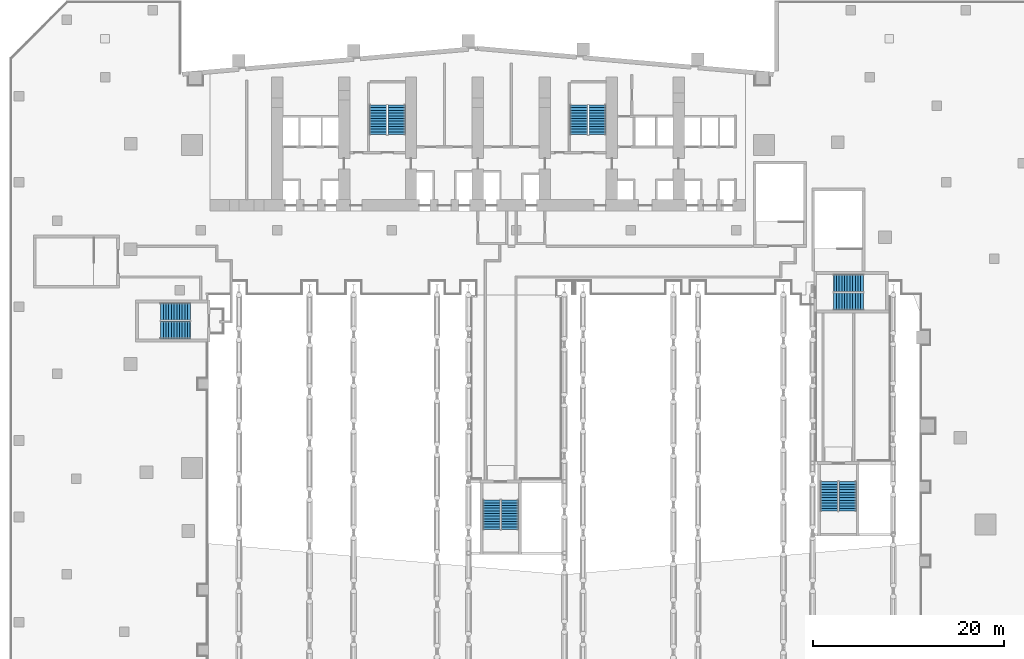
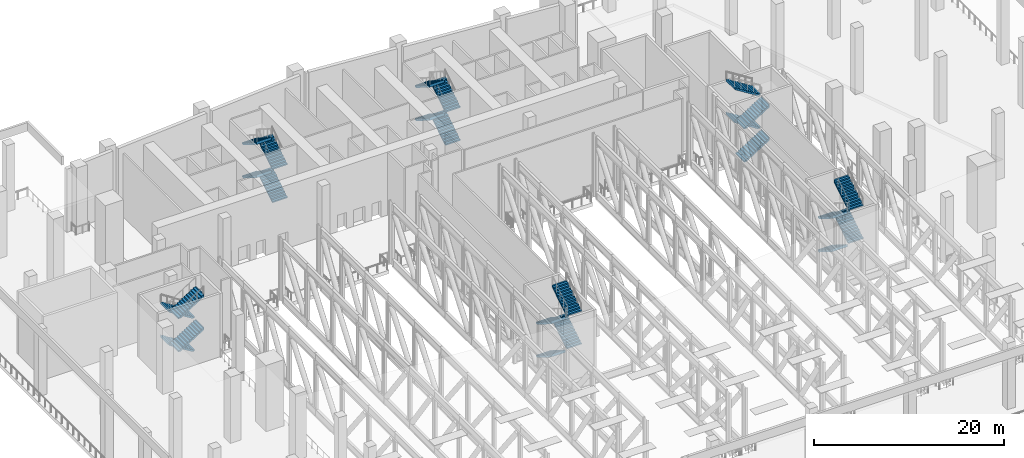
# One storey, part 15 of 33: 24 stair flights, 6 elements without a shape of their own.
"""IFC4 building model written with IfcOpenShell, lengths in metres."""

import ifcopenshell
import ifcopenshell.guid

model = None  # the IFC model being written
_history = None  # IfcOwnerHistory: only IFC2X3 demands one
_inside = {}  # id of a spatial element -> (the spatial element, [elements in it])
_under = {}  # id of a project, library or spatial element -> (it, [spatial elements below it])
_declared = {}  # id of a project -> (the project, [libraries it declares])
_typed = {}  # id of a type object -> (the type object, [elements of that type])
_made_of = {}  # id of a material, layer set ... -> (it, [elements and type objects made of it])


def new_model(schema):
    """Start an empty IFC model of exactly this schema.

    Asked for "IFC4X3", IfcOpenShell would pick the latest addendum, in which some entities
    have other attributes; the version numbers below select the first issue.
    IFC2X3 requires an IfcOwnerHistory on every rooted entity: one is made here for all.
    """
    global model, _history
    if schema == "IFC4X3":
        model = ifcopenshell.file(schema_version=(4, 3, 0, 0))
    else:
        model = ifcopenshell.file(schema=schema)
    _inside.clear()
    _under.clear()
    _declared.clear()
    _typed.clear()
    _made_of.clear()
    _history = None
    if model.schema == "IFC2X3":
        org = make("IfcOrganization", Name="unknown")
        user = make(
            "IfcPersonAndOrganization",
            ThePerson=make("IfcPerson", FamilyName="unknown"),
            TheOrganization=org,
        )
        app = make(
            "IfcApplication",
            ApplicationDeveloper=org,
            Version="unknown",
            ApplicationFullName="unknown",
            ApplicationIdentifier="unknown",
        )
        _history = make(
            "IfcOwnerHistory",
            OwningUser=user,
            OwningApplication=app,
            ChangeAction="ADDED",
            CreationDate=0,
        )
    return model


def make(cls, **values):
    """One entity of the class cls with the attributes given. An attribute that is None is left unset."""
    return model.create_entity(
        cls, **{name: value for name, value in values.items() if value is not None}
    )


def rooted(cls, **values):
    """An entity with a GlobalId (a new one), such as an element, a storey or a relation."""
    return make(cls, GlobalId=ifcopenshell.guid.new(), OwnerHistory=_history, **values)


def si_unit(unit_type, name, prefix=None):
    """IfcSIUnit, for example si_unit("LENGTHUNIT", "METRE", prefix="MILLI")."""
    return make("IfcSIUnit", UnitType=unit_type, Prefix=prefix, Name=name)


def assignment(units):
    """IfcUnitAssignment: the units of a project."""
    return None if units is None else make("IfcUnitAssignment", Units=units)


def point(xyz):
    """IfcCartesianPoint."""
    return None if xyz is None else make("IfcCartesianPoint", Coordinates=xyz)


def direction(xyz):
    """IfcDirection."""
    return None if xyz is None else make("IfcDirection", DirectionRatios=xyz)


def frame(location, z_axis=None, x_axis=None):
    """IfcAxis2Placement3D, a coordinate frame: its origin and axes. An axis left out is left unset."""
    return make(
        "IfcAxis2Placement3D",
        Location=point(location),
        Axis=direction(z_axis),
        RefDirection=direction(x_axis),
    )


def origin():
    """The frame at (0, 0, 0) with its axes left unset."""
    return frame((0.0, 0.0, 0.0))


def place(relative_to, where):
    """IfcLocalPlacement: puts the frame where relative to a parent placement (None: the world)."""
    return make(
        "IfcLocalPlacement", PlacementRelTo=relative_to, RelativePlacement=where
    )


def context(
    kind, dimensions, precision=None, world=None, true_north=None, identifier=None
):
    """IfcGeometricRepresentationContext, for example the 3D "Model" context."""
    return make(
        "IfcGeometricRepresentationContext",
        ContextIdentifier=identifier,
        ContextType=kind,
        CoordinateSpaceDimension=dimensions,
        Precision=precision,
        WorldCoordinateSystem=world,
        TrueNorth=true_north,
    )


def subcontext(parent, identifier, kind, view, scale=None):
    """IfcGeometricRepresentationSubContext, for example "Body" below "Model"."""
    return make(
        "IfcGeometricRepresentationSubContext",
        ContextIdentifier=identifier,
        ContextType=kind,
        ParentContext=parent,
        TargetScale=scale,
        TargetView=view,
    )


def project(units=None, contexts=None):
    """IfcProject with its units and contexts."""
    return rooted(
        "IfcProject",
        Name="project",
        RepresentationContexts=contexts,
        UnitsInContext=assignment(units),
    )


def spatial(cls, under=None, at=None, **own):
    """A site, building, storey or space (cls), placed at a placement, below another one or the project."""
    s = rooted(cls, ObjectPlacement=at, **own)
    if under is not None:
        _under.setdefault(under.id(), (under, []))[1].append(s)
    return s


def polyline(points):
    """IfcPolyline through the points."""
    return make("IfcPolyline", Points=[point(p) for p in points])


def outline(outer, holes=None, kind="AREA"):
    """IfcArbitraryClosedProfileDef: a profile drawn as a closed curve; with holes, ...WithVoids."""
    if holes is None:
        return make("IfcArbitraryClosedProfileDef", ProfileType=kind, OuterCurve=outer)
    return make(
        "IfcArbitraryProfileDefWithVoids",
        ProfileType=kind,
        OuterCurve=outer,
        InnerCurves=holes,
    )


def extrude(swept, where, along, depth):
    """IfcExtrudedAreaSolid: the profile swept, set in the frame where, extruded along a direction by depth."""
    return make(
        "IfcExtrudedAreaSolid",
        SweptArea=swept,
        Position=where,
        ExtrudedDirection=direction(along),
        Depth=depth,
    )


def shape(context_of_items, identifier, shape_type, items):
    """IfcShapeRepresentation: the items that make up one representation, for example the "Body"."""
    return make(
        "IfcShapeRepresentation",
        ContextOfItems=context_of_items,
        RepresentationIdentifier=identifier,
        RepresentationType=shape_type,
        Items=items,
    )


def material(Name=None, Category=None):
    """IfcMaterial."""
    return make("IfcMaterial", Name=Name, Category=Category)


def made_of(thing, what):
    """Note that an element or type object is made of a material, layer set ...; save() writes the relation."""
    if what is not None:
        _made_of.setdefault(what.id(), (what, []))[1].append(thing)
    return thing


def type_object(cls, material=None, **own):
    """A type object (cls), such as IfcWallType, which elements share."""
    return made_of(rooted(cls, **own), material)


def element(
    cls,
    number,
    at=None,
    inside=None,
    cuts=None,
    type_object=None,
    material=None,
    context=None,
    identifier="Body",
    shape_type=None,
    held_by="IfcProductDefinitionShape",
    body=None,
    shapes=None,
    **own,
):
    """One element of the class cls, such as IfcWall. Its Tag is "e" and its number.

    at: its placement. inside: the storey or other place that contains it. cuts: it is an
    opening in that element (IfcRelVoidsElement). A single representation is given by context,
    identifier, shape_type and body (its items); several are given by shapes. held_by: the class
    of the entity that holds the representations. save() writes the other relations.
    """
    e = rooted(cls, Tag="e%d" % number, ObjectPlacement=at, **own)
    if body is not None:
        shapes = [shape(context, identifier, shape_type, body)]
    if shapes is not None:
        e.Representation = make(held_by, Representations=shapes)
    if inside is not None:
        _inside.setdefault(inside.id(), (inside, []))[1].append(e)
    if cuts is not None:
        rooted(
            "IfcRelVoidsElement", RelatingBuildingElement=cuts, RelatedOpeningElement=e
        )
    if type_object is not None:
        _typed.setdefault(type_object.id(), (type_object, []))[1].append(e)
    return made_of(e, material)


def aggregate(whole, parts):
    """IfcRelAggregates: a whole, such as a stair, and the parts it consists of."""
    return rooted("IfcRelAggregates", RelatingObject=whole, RelatedObjects=parts)


def save(model, path):
    """Write the relations noted so far, then the file.

    IfcRelAggregates (storeys below a building ...), IfcRelContainedInSpatialStructure (elements
    in a storey), IfcRelDefinesByType, IfcRelAssociatesMaterial and IfcRelDeclares: one each for
    every whole, place, type object, material and project.
    """
    for whole, parts in _under.values():
        aggregate(whole, parts)
    for where, things in _inside.values():
        rooted(
            "IfcRelContainedInSpatialStructure",
            RelatedElements=things,
            RelatingStructure=where,
        )
    for kind, things in _typed.values():
        rooted("IfcRelDefinesByType", RelatedObjects=things, RelatingType=kind)
    for what, things in _made_of.values():
        rooted("IfcRelAssociatesMaterial", RelatedObjects=things, RelatingMaterial=what)
    for by, libraries in _declared.values():
        rooted("IfcRelDeclares", RelatingContext=by, RelatedDefinitions=libraries)
    model.write(path)


model = new_model("IFC4")

# Units and contexts
model_context = context("Model", 3, precision=1e-05, world=origin(), true_north=direction((0.0, 1.0)))
body_context = subcontext(model_context, "Body", "Model", "MODEL_VIEW")
ifc_project = project(units=[si_unit("LENGTHUNIT", "METRE"), si_unit("AREAUNIT", "SQUARE_METRE"), si_unit("VOLUMEUNIT", "CUBIC_METRE"), si_unit("PLANEANGLEUNIT", "RADIAN"), si_unit("MASSUNIT", "GRAM", prefix="KILO")], contexts=[model_context])

# Site, building, storey
site_placement = place(None, origin())
site = spatial("IfcSite", under=ifc_project, at=site_placement, CompositionType="ELEMENT")
building_placement = place(site_placement, origin())
building = spatial("IfcBuilding", under=site, at=building_placement, Name="Wharfspan Tower", CompositionType="ELEMENT")
storey_placement = place(building_placement, frame((0.0, 0.0, 33.0)))
storey = spatial("IfcBuildingStorey", under=building, at=storey_placement, Name="L05", CompositionType="ELEMENT", Elevation=33.0)

# Stair, stair flights
ifc_material = material(Name="Concrete C40/50", Category="concrete")
stair_type = type_object("IfcStairType", Name="Half-turn stair 48 risers 177 mm", PredefinedType="HALF_TURN_STAIR", material=ifc_material)
stair_1_placement = place(storey_placement, origin())
stair_1 = element("IfcStair", 1, at=stair_1_placement, inside=storey, type_object=stair_type, Name="L05 stair ST1", PredefinedType="HALF_TURN_STAIR")
stair_flight_type = type_object("IfcStairFlightType", Name="Stair flight 48 risers 177 mm", PredefinedType="STRAIGHT", material=ifc_material)
stair_flight_1_placement = place(storey_placement, frame((28.5, 42.0, 0.0), z_axis=(0.0, 0.0, 1.0), x_axis=(0.0, 1.0, 0.0)))
stair_flight_1 = element("IfcStairFlight", 2, at=stair_flight_1_placement, type_object=stair_flight_type, Name="ST1 flight 1", NumberOfRisers=12, NumberOfTreads=11, PredefinedType="STRAIGHT", RiserHeight=0.177083, TreadLength=0.28, context=body_context, shape_type="SweptSolid", body=[
    extrude(outline(polyline([(-0.011963, 0.0), (-0.011963, 0.177002), (0.0, 0.177002), (0.280029, 0.177002), (0.280029, 0.354248), (0.560059, 0.354248), (0.560059, 0.53125), (0.840088, 0.53125), (0.840088, 0.708252), (1.120117, 0.708252), (1.120117, 0.885498), (1.399902, 0.885498), (1.399902, 1.0625), (1.679932, 1.0625), (1.679932, 1.239502), (1.959961, 1.239502), (1.959961, 1.416748), (2.23999, 1.416748), (2.23999, 1.59375), (2.52002, 1.59375), (2.52002, 1.770752), (2.800049, 1.770752), (2.800049, 1.947998), (3.080078, 1.947998), (3.092041, 2.125), (3.092041, 1.770508), (0.280518, 0.0), (-0.011963, 0.0)])), frame((0.0, 0.899902, 0.0), z_axis=(0.0, -1.0, 0.0), x_axis=(1.0, 0.0, 0.0)), (0.0, 0.0, 1.0), 1.800049),
])
stair_flight_2_placement = place(storey_placement, frame((26.550049, 45.080078, 2.125), z_axis=(0.0, 0.0, 1.0), x_axis=(0.0, -1.0, 0.0)))
stair_flight_2 = element("IfcStairFlight", 3, at=stair_flight_2_placement, type_object=stair_flight_type, Name="ST1 flight 2", NumberOfRisers=12, NumberOfTreads=11, PredefinedType="STRAIGHT", RiserHeight=0.177083, TreadLength=0.28, context=body_context, shape_type="SweptSolid", body=[
    extrude(outline(polyline([(-0.011963, 0.0), (-0.011963, 0.177002), (0.0, 0.177002), (0.280029, 0.177002), (0.280029, 0.354248), (0.560059, 0.354248), (0.560059, 0.53125), (0.840088, 0.53125), (0.840088, 0.708252), (1.120117, 0.708252), (1.120117, 0.885498), (1.399902, 0.885498), (1.399902, 1.0625), (1.679932, 1.0625), (1.679932, 1.239502), (1.959961, 1.239502), (1.959961, 1.416748), (2.23999, 1.416748), (2.23999, 1.59375), (2.52002, 1.59375), (2.52002, 1.770752), (2.800049, 1.770752), (2.800049, 1.947998), (3.080078, 1.947998), (3.092041, 2.125), (3.092041, 1.770508), (0.280518, 0.0), (-0.011963, 0.0)])), frame((0.0, 0.899902, 0.0), z_axis=(0.0, -1.0, 0.0), x_axis=(1.0, 0.0, 0.0)), (0.0, 0.0, 1.0), 1.800049),
])
stair_flight_3_placement = place(storey_placement, frame((28.5, 42.0, 4.25), z_axis=(0.0, 0.0, 1.0), x_axis=(0.0, 1.0, 0.0)))
stair_flight_3 = element("IfcStairFlight", 4, at=stair_flight_3_placement, type_object=stair_flight_type, Name="ST1 flight 3", NumberOfRisers=12, NumberOfTreads=11, PredefinedType="STRAIGHT", RiserHeight=0.177083, TreadLength=0.28, context=body_context, shape_type="SweptSolid", body=[
    extrude(outline(polyline([(-0.011963, 0.0), (-0.011963, 0.177002), (0.0, 0.177002), (0.280029, 0.177002), (0.280029, 0.354248), (0.560059, 0.354248), (0.560059, 0.53125), (0.840088, 0.53125), (0.840088, 0.708252), (1.120117, 0.708252), (1.120117, 0.885498), (1.399902, 0.885498), (1.399902, 1.0625), (1.679932, 1.0625), (1.679932, 1.239502), (1.959961, 1.239502), (1.959961, 1.416748), (2.23999, 1.416748), (2.23999, 1.59375), (2.52002, 1.59375), (2.52002, 1.770752), (2.800049, 1.770752), (2.800049, 1.947998), (3.080078, 1.947998), (3.092041, 2.125), (3.092041, 1.770508), (0.280518, 0.0), (-0.011963, 0.0)])), frame((0.0, 0.899902, 0.0), z_axis=(0.0, -1.0, 0.0), x_axis=(1.0, 0.0, 0.0)), (0.0, 0.0, 1.0), 1.800049),
])
stair_flight_4_placement = place(storey_placement, frame((26.550049, 45.080078, 6.375), z_axis=(0.0, 0.0, 1.0), x_axis=(0.0, -1.0, 0.0)))
stair_flight_4 = element("IfcStairFlight", 5, at=stair_flight_4_placement, type_object=stair_flight_type, Name="ST1 flight 4", NumberOfRisers=12, NumberOfTreads=11, PredefinedType="STRAIGHT", RiserHeight=0.177083, TreadLength=0.28, context=body_context, shape_type="SweptSolid", body=[
    extrude(outline(polyline([(-0.011963, 0.0), (-0.011963, 0.177002), (0.0, 0.177002), (0.280029, 0.177002), (0.280029, 0.354248), (0.560059, 0.354248), (0.560059, 0.53125), (0.840088, 0.53125), (0.840088, 0.708252), (1.120117, 0.708252), (1.120117, 0.885498), (1.399902, 0.885498), (1.399902, 1.0625), (1.679932, 1.0625), (1.679932, 1.239502), (1.959961, 1.239502), (1.959961, 1.416748), (2.23999, 1.416748), (2.23999, 1.59375), (2.52002, 1.59375), (2.52002, 1.770752), (2.800049, 1.770752), (2.800049, 1.947998), (3.080078, 1.947998), (3.092041, 2.125), (3.092041, 1.770508), (0.280518, 0.0), (-0.011963, 0.0)])), frame((0.0, 0.899902, 0.0), z_axis=(0.0, -1.0, 0.0), x_axis=(1.0, 0.0, 0.0)), (0.0, 0.0, 1.0), 1.800049),
])
aggregate(stair_1, [stair_flight_1, stair_flight_2, stair_flight_3, stair_flight_4])

stair_2_placement = place(storey_placement, origin())
stair_2 = element("IfcStair", 6, at=stair_2_placement, inside=storey, type_object=stair_type, Name="L05 stair ST2", PredefinedType="HALF_TURN_STAIR")
stair_flight_5_placement = place(storey_placement, frame((49.5, 42.0, 0.0), z_axis=(0.0, 0.0, 1.0), x_axis=(0.0, 1.0, 0.0)))
stair_flight_5 = element("IfcStairFlight", 7, at=stair_flight_5_placement, type_object=stair_flight_type, Name="ST2 flight 1", NumberOfRisers=12, NumberOfTreads=11, PredefinedType="STRAIGHT", RiserHeight=0.177083, TreadLength=0.28, context=body_context, shape_type="SweptSolid", body=[
    extrude(outline(polyline([(-0.011963, 0.0), (-0.011963, 0.177002), (0.0, 0.177002), (0.280029, 0.177002), (0.280029, 0.354248), (0.560059, 0.354248), (0.560059, 0.53125), (0.840088, 0.53125), (0.840088, 0.708252), (1.120117, 0.708252), (1.120117, 0.885498), (1.399902, 0.885498), (1.399902, 1.0625), (1.679932, 1.0625), (1.679932, 1.239502), (1.959961, 1.239502), (1.959961, 1.416748), (2.23999, 1.416748), (2.23999, 1.59375), (2.52002, 1.59375), (2.52002, 1.770752), (2.800049, 1.770752), (2.800049, 1.947998), (3.080078, 1.947998), (3.092041, 2.125), (3.092041, 1.770508), (0.280518, 0.0), (-0.011963, 0.0)])), frame((0.0, 0.899902, 0.0), z_axis=(0.0, -1.0, 0.0), x_axis=(1.0, 0.0, 0.0)), (0.0, 0.0, 1.0), 1.800049),
])
stair_flight_6_placement = place(storey_placement, frame((47.550049, 45.080078, 2.125), z_axis=(0.0, 0.0, 1.0), x_axis=(0.0, -1.0, 0.0)))
stair_flight_6 = element("IfcStairFlight", 8, at=stair_flight_6_placement, type_object=stair_flight_type, Name="ST2 flight 2", NumberOfRisers=12, NumberOfTreads=11, PredefinedType="STRAIGHT", RiserHeight=0.177083, TreadLength=0.28, context=body_context, shape_type="SweptSolid", body=[
    extrude(outline(polyline([(-0.011963, 0.0), (-0.011963, 0.177002), (0.0, 0.177002), (0.280029, 0.177002), (0.280029, 0.354248), (0.560059, 0.354248), (0.560059, 0.53125), (0.840088, 0.53125), (0.840088, 0.708252), (1.120117, 0.708252), (1.120117, 0.885498), (1.399902, 0.885498), (1.399902, 1.0625), (1.679932, 1.0625), (1.679932, 1.239502), (1.959961, 1.239502), (1.959961, 1.416748), (2.23999, 1.416748), (2.23999, 1.59375), (2.52002, 1.59375), (2.52002, 1.770752), (2.800049, 1.770752), (2.800049, 1.947998), (3.080078, 1.947998), (3.092041, 2.125), (3.092041, 1.770508), (0.280518, 0.0), (-0.011963, 0.0)])), frame((0.0, 0.899902, 0.0), z_axis=(0.0, -1.0, 0.0), x_axis=(1.0, 0.0, 0.0)), (0.0, 0.0, 1.0), 1.800049),
])
stair_flight_7_placement = place(storey_placement, frame((49.5, 42.0, 4.25), z_axis=(0.0, 0.0, 1.0), x_axis=(0.0, 1.0, 0.0)))
stair_flight_7 = element("IfcStairFlight", 9, at=stair_flight_7_placement, type_object=stair_flight_type, Name="ST2 flight 3", NumberOfRisers=12, NumberOfTreads=11, PredefinedType="STRAIGHT", RiserHeight=0.177083, TreadLength=0.28, context=body_context, shape_type="SweptSolid", body=[
    extrude(outline(polyline([(-0.011963, 0.0), (-0.011963, 0.177002), (0.0, 0.177002), (0.280029, 0.177002), (0.280029, 0.354248), (0.560059, 0.354248), (0.560059, 0.53125), (0.840088, 0.53125), (0.840088, 0.708252), (1.120117, 0.708252), (1.120117, 0.885498), (1.399902, 0.885498), (1.399902, 1.0625), (1.679932, 1.0625), (1.679932, 1.239502), (1.959961, 1.239502), (1.959961, 1.416748), (2.23999, 1.416748), (2.23999, 1.59375), (2.52002, 1.59375), (2.52002, 1.770752), (2.800049, 1.770752), (2.800049, 1.947998), (3.080078, 1.947998), (3.092041, 2.125), (3.092041, 1.770508), (0.280518, 0.0), (-0.011963, 0.0)])), frame((0.0, 0.899902, 0.0), z_axis=(0.0, -1.0, 0.0), x_axis=(1.0, 0.0, 0.0)), (0.0, 0.0, 1.0), 1.800049),
])
stair_flight_8_placement = place(storey_placement, frame((47.550049, 45.080078, 6.375), z_axis=(0.0, 0.0, 1.0), x_axis=(0.0, -1.0, 0.0)))
stair_flight_8 = element("IfcStairFlight", 10, at=stair_flight_8_placement, type_object=stair_flight_type, Name="ST2 flight 4", NumberOfRisers=12, NumberOfTreads=11, PredefinedType="STRAIGHT", RiserHeight=0.177083, TreadLength=0.28, context=body_context, shape_type="SweptSolid", body=[
    extrude(outline(polyline([(-0.011963, 0.0), (-0.011963, 0.177002), (0.0, 0.177002), (0.280029, 0.177002), (0.280029, 0.354248), (0.560059, 0.354248), (0.560059, 0.53125), (0.840088, 0.53125), (0.840088, 0.708252), (1.120117, 0.708252), (1.120117, 0.885498), (1.399902, 0.885498), (1.399902, 1.0625), (1.679932, 1.0625), (1.679932, 1.239502), (1.959961, 1.239502), (1.959961, 1.416748), (2.23999, 1.416748), (2.23999, 1.59375), (2.52002, 1.59375), (2.52002, 1.770752), (2.800049, 1.770752), (2.800049, 1.947998), (3.080078, 1.947998), (3.092041, 2.125), (3.092041, 1.770508), (0.280518, 0.0), (-0.011963, 0.0)])), frame((0.0, 0.899902, 0.0), z_axis=(0.0, -1.0, 0.0), x_axis=(1.0, 0.0, 0.0)), (0.0, 0.0, 1.0), 1.800049),
])
aggregate(stair_2, [stair_flight_5, stair_flight_6, stair_flight_7, stair_flight_8])

stair_3_placement = place(storey_placement, origin())
stair_3 = element("IfcStair", 11, at=stair_3_placement, inside=storey, type_object=stair_type, Name="L05 stair ST3", PredefinedType="HALF_TURN_STAIR")
stair_flight_9_placement = place(storey_placement, frame((6.899902, 23.475098, 0.0), z_axis=(0.0, 0.0, 1.0), x_axis=(-1.0, 0.0, 0.0)))
stair_flight_9 = element("IfcStairFlight", 12, at=stair_flight_9_placement, type_object=stair_flight_type, Name="ST3 flight 1", NumberOfRisers=12, NumberOfTreads=11, PredefinedType="STRAIGHT", RiserHeight=0.177083, TreadLength=0.28, context=body_context, shape_type="SweptSolid", body=[
    extrude(outline(polyline([(-0.011963, 0.0), (-0.011963, 0.177002), (0.0, 0.177002), (0.280029, 0.177002), (0.280029, 0.354248), (0.560059, 0.354248), (0.560059, 0.53125), (0.840088, 0.53125), (0.840088, 0.708252), (1.120117, 0.708252), (1.120117, 0.885498), (1.399902, 0.885498), (1.399902, 1.0625), (1.679932, 1.0625), (1.679932, 1.239502), (1.959961, 1.239502), (1.959961, 1.416748), (2.23999, 1.416748), (2.23999, 1.59375), (2.52002, 1.59375), (2.52002, 1.770752), (2.800049, 1.770752), (2.800049, 1.947998), (3.080078, 1.947998), (3.092041, 2.125), (3.092041, 1.770508), (0.280518, 0.0), (-0.011963, 0.0)])), frame((0.0, 0.899902, 0.0), z_axis=(0.0, -1.0, 0.0), x_axis=(1.0, 0.0, 0.0)), (0.0, 0.0, 1.0), 1.800049),
])
stair_flight_10_placement = place(storey_placement, frame((3.820068, 21.524902, 2.125), z_axis=(0.0, 0.0, 1.0), x_axis=(1.0, 0.0, 0.0)))
stair_flight_10 = element("IfcStairFlight", 13, at=stair_flight_10_placement, type_object=stair_flight_type, Name="ST3 flight 2", NumberOfRisers=12, NumberOfTreads=11, PredefinedType="STRAIGHT", RiserHeight=0.177083, TreadLength=0.28, context=body_context, shape_type="SweptSolid", body=[
    extrude(outline(polyline([(-0.011963, 0.0), (-0.011963, 0.177002), (0.0, 0.177002), (0.280029, 0.177002), (0.280029, 0.354248), (0.560059, 0.354248), (0.560059, 0.53125), (0.840088, 0.53125), (0.840088, 0.708252), (1.120117, 0.708252), (1.120117, 0.885498), (1.399902, 0.885498), (1.399902, 1.0625), (1.679932, 1.0625), (1.679932, 1.239502), (1.959961, 1.239502), (1.959961, 1.416748), (2.23999, 1.416748), (2.23999, 1.59375), (2.52002, 1.59375), (2.52002, 1.770752), (2.800049, 1.770752), (2.800049, 1.947998), (3.080078, 1.947998), (3.092041, 2.125), (3.092041, 1.770508), (0.280518, 0.0), (-0.011963, 0.0)])), frame((0.0, 0.899902, 0.0), z_axis=(0.0, -1.0, 0.0), x_axis=(1.0, 0.0, 0.0)), (0.0, 0.0, 1.0), 1.800049),
])
stair_flight_11_placement = place(storey_placement, frame((6.899902, 23.475098, 4.25), z_axis=(0.0, 0.0, 1.0), x_axis=(-1.0, 0.0, 0.0)))
stair_flight_11 = element("IfcStairFlight", 14, at=stair_flight_11_placement, type_object=stair_flight_type, Name="ST3 flight 3", NumberOfRisers=12, NumberOfTreads=11, PredefinedType="STRAIGHT", RiserHeight=0.177083, TreadLength=0.28, context=body_context, shape_type="SweptSolid", body=[
    extrude(outline(polyline([(-0.011963, 0.0), (-0.011963, 0.177002), (0.0, 0.177002), (0.280029, 0.177002), (0.280029, 0.354248), (0.560059, 0.354248), (0.560059, 0.53125), (0.840088, 0.53125), (0.840088, 0.708252), (1.120117, 0.708252), (1.120117, 0.885498), (1.399902, 0.885498), (1.399902, 1.0625), (1.679932, 1.0625), (1.679932, 1.239502), (1.959961, 1.239502), (1.959961, 1.416748), (2.23999, 1.416748), (2.23999, 1.59375), (2.52002, 1.59375), (2.52002, 1.770752), (2.800049, 1.770752), (2.800049, 1.947998), (3.080078, 1.947998), (3.092041, 2.125), (3.092041, 1.770508), (0.280518, 0.0), (-0.011963, 0.0)])), frame((0.0, 0.899902, 0.0), z_axis=(0.0, -1.0, 0.0), x_axis=(1.0, 0.0, 0.0)), (0.0, 0.0, 1.0), 1.800049),
])
stair_flight_12_placement = place(storey_placement, frame((3.820068, 21.524902, 6.375), z_axis=(0.0, 0.0, 1.0), x_axis=(1.0, 0.0, 0.0)))
stair_flight_12 = element("IfcStairFlight", 15, at=stair_flight_12_placement, type_object=stair_flight_type, Name="ST3 flight 4", NumberOfRisers=12, NumberOfTreads=11, PredefinedType="STRAIGHT", RiserHeight=0.177083, TreadLength=0.28, context=body_context, shape_type="SweptSolid", body=[
    extrude(outline(polyline([(-0.011963, 0.0), (-0.011963, 0.177002), (0.0, 0.177002), (0.280029, 0.177002), (0.280029, 0.354248), (0.560059, 0.354248), (0.560059, 0.53125), (0.840088, 0.53125), (0.840088, 0.708252), (1.120117, 0.708252), (1.120117, 0.885498), (1.399902, 0.885498), (1.399902, 1.0625), (1.679932, 1.0625), (1.679932, 1.239502), (1.959961, 1.239502), (1.959961, 1.416748), (2.23999, 1.416748), (2.23999, 1.59375), (2.52002, 1.59375), (2.52002, 1.770752), (2.800049, 1.770752), (2.800049, 1.947998), (3.080078, 1.947998), (3.092041, 2.125), (3.092041, 1.770508), (0.280518, 0.0), (-0.011963, 0.0)])), frame((0.0, 0.899902, 0.0), z_axis=(0.0, -1.0, 0.0), x_axis=(1.0, 0.0, 0.0)), (0.0, 0.0, 1.0), 1.800049),
])
aggregate(stair_3, [stair_flight_9, stair_flight_10, stair_flight_11, stair_flight_12])

stair_4_placement = place(storey_placement, origin())
stair_4 = element("IfcStair", 16, at=stair_4_placement, inside=storey, type_object=stair_type, Name="L05 stair ST4", PredefinedType="HALF_TURN_STAIR")
stair_flight_13_placement = place(storey_placement, frame((38.408203, 3.760498, 0.0), z_axis=(0.0, 0.0, 1.0), x_axis=(0.0, -1.0, 0.0)))
stair_flight_13 = element("IfcStairFlight", 17, at=stair_flight_13_placement, type_object=stair_flight_type, Name="ST4 flight 1", NumberOfRisers=12, NumberOfTreads=11, PredefinedType="STRAIGHT", RiserHeight=0.177083, TreadLength=0.28, context=body_context, shape_type="SweptSolid", body=[
    extrude(outline(polyline([(-0.011963, 0.0), (-0.011963, 0.177002), (0.0, 0.177002), (0.280029, 0.177002), (0.280029, 0.354248), (0.560059, 0.354248), (0.560059, 0.53125), (0.840088, 0.53125), (0.840088, 0.708252), (1.120117, 0.708252), (1.120117, 0.885498), (1.399902, 0.885498), (1.399902, 1.0625), (1.679932, 1.0625), (1.679932, 1.239502), (1.959961, 1.239502), (1.959961, 1.416748), (2.23999, 1.416748), (2.23999, 1.59375), (2.52002, 1.59375), (2.52002, 1.770752), (2.800049, 1.770752), (2.800049, 1.947998), (3.080078, 1.947998), (3.092041, 2.125), (3.092041, 1.770508), (0.280518, 0.0), (-0.011963, 0.0)])), frame((0.0, 0.899902, 0.0), z_axis=(0.0, -1.0, 0.0), x_axis=(1.0, 0.0, 0.0)), (0.0, 0.0, 1.0), 1.800049),
])
stair_flight_14_placement = place(storey_placement, frame((40.358398, 0.680664, 2.125), z_axis=(0.0, 0.0, 1.0), x_axis=(0.0, 1.0, 0.0)))
stair_flight_14 = element("IfcStairFlight", 18, at=stair_flight_14_placement, type_object=stair_flight_type, Name="ST4 flight 2", NumberOfRisers=12, NumberOfTreads=11, PredefinedType="STRAIGHT", RiserHeight=0.177083, TreadLength=0.28, context=body_context, shape_type="SweptSolid", body=[
    extrude(outline(polyline([(-0.011963, 0.0), (-0.011963, 0.177002), (0.0, 0.177002), (0.280029, 0.177002), (0.280029, 0.354248), (0.560059, 0.354248), (0.560059, 0.53125), (0.840088, 0.53125), (0.840088, 0.708252), (1.120117, 0.708252), (1.120117, 0.885498), (1.399902, 0.885498), (1.399902, 1.0625), (1.679932, 1.0625), (1.679932, 1.239502), (1.959961, 1.239502), (1.959961, 1.416748), (2.23999, 1.416748), (2.23999, 1.59375), (2.52002, 1.59375), (2.52002, 1.770752), (2.800049, 1.770752), (2.800049, 1.947998), (3.080078, 1.947998), (3.092041, 2.125), (3.092041, 1.770508), (0.280518, 0.0), (-0.011963, 0.0)])), frame((0.0, 0.899902, 0.0), z_axis=(0.0, -1.0, 0.0), x_axis=(1.0, 0.0, 0.0)), (0.0, 0.0, 1.0), 1.800049),
])
stair_flight_15_placement = place(storey_placement, frame((38.408203, 3.760498, 4.25), z_axis=(0.0, 0.0, 1.0), x_axis=(0.0, -1.0, 0.0)))
stair_flight_15 = element("IfcStairFlight", 19, at=stair_flight_15_placement, type_object=stair_flight_type, Name="ST4 flight 3", NumberOfRisers=12, NumberOfTreads=11, PredefinedType="STRAIGHT", RiserHeight=0.177083, TreadLength=0.28, context=body_context, shape_type="SweptSolid", body=[
    extrude(outline(polyline([(-0.011963, 0.0), (-0.011963, 0.177002), (0.0, 0.177002), (0.280029, 0.177002), (0.280029, 0.354248), (0.560059, 0.354248), (0.560059, 0.53125), (0.840088, 0.53125), (0.840088, 0.708252), (1.120117, 0.708252), (1.120117, 0.885498), (1.399902, 0.885498), (1.399902, 1.0625), (1.679932, 1.0625), (1.679932, 1.239502), (1.959961, 1.239502), (1.959961, 1.416748), (2.23999, 1.416748), (2.23999, 1.59375), (2.52002, 1.59375), (2.52002, 1.770752), (2.800049, 1.770752), (2.800049, 1.947998), (3.080078, 1.947998), (3.092041, 2.125), (3.092041, 1.770508), (0.280518, 0.0), (-0.011963, 0.0)])), frame((0.0, 0.899902, 0.0), z_axis=(0.0, -1.0, 0.0), x_axis=(1.0, 0.0, 0.0)), (0.0, 0.0, 1.0), 1.800049),
])
stair_flight_16_placement = place(storey_placement, frame((40.358398, 0.680664, 6.375), z_axis=(0.0, 0.0, 1.0), x_axis=(0.0, 1.0, 0.0)))
stair_flight_16 = element("IfcStairFlight", 20, at=stair_flight_16_placement, type_object=stair_flight_type, Name="ST4 flight 4", NumberOfRisers=12, NumberOfTreads=11, PredefinedType="STRAIGHT", RiserHeight=0.177083, TreadLength=0.28, context=body_context, shape_type="SweptSolid", body=[
    extrude(outline(polyline([(-0.011963, 0.0), (-0.011963, 0.177002), (0.0, 0.177002), (0.280029, 0.177002), (0.280029, 0.354248), (0.560059, 0.354248), (0.560059, 0.53125), (0.840088, 0.53125), (0.840088, 0.708252), (1.120117, 0.708252), (1.120117, 0.885498), (1.399902, 0.885498), (1.399902, 1.0625), (1.679932, 1.0625), (1.679932, 1.239502), (1.959961, 1.239502), (1.959961, 1.416748), (2.23999, 1.416748), (2.23999, 1.59375), (2.52002, 1.59375), (2.52002, 1.770752), (2.800049, 1.770752), (2.800049, 1.947998), (3.080078, 1.947998), (3.092041, 2.125), (3.092041, 1.770508), (0.280518, 0.0), (-0.011963, 0.0)])), frame((0.0, 0.899902, 0.0), z_axis=(0.0, -1.0, 0.0), x_axis=(1.0, 0.0, 0.0)), (0.0, 0.0, 1.0), 1.800049),
])
aggregate(stair_4, [stair_flight_13, stair_flight_14, stair_flight_15, stair_flight_16])

stair_5_placement = place(storey_placement, origin())
stair_5 = element("IfcStair", 21, at=stair_5_placement, inside=storey, type_object=stair_type, Name="L05 stair ST5", PredefinedType="HALF_TURN_STAIR")
stair_flight_17_placement = place(storey_placement, frame((73.717529, 5.691895, 0.0), z_axis=(0.0, 0.0, 1.0), x_axis=(0.0, -1.0, 0.0)))
stair_flight_17 = element("IfcStairFlight", 22, at=stair_flight_17_placement, type_object=stair_flight_type, Name="ST5 flight 1", NumberOfRisers=12, NumberOfTreads=11, PredefinedType="STRAIGHT", RiserHeight=0.177083, TreadLength=0.28, context=body_context, shape_type="SweptSolid", body=[
    extrude(outline(polyline([(-0.011963, 0.0), (-0.011963, 0.177002), (0.0, 0.177002), (0.280029, 0.177002), (0.280029, 0.354248), (0.560059, 0.354248), (0.560059, 0.53125), (0.840088, 0.53125), (0.840088, 0.708252), (1.120117, 0.708252), (1.120117, 0.885498), (1.399902, 0.885498), (1.399902, 1.0625), (1.679932, 1.0625), (1.679932, 1.239502), (1.959961, 1.239502), (1.959961, 1.416748), (2.23999, 1.416748), (2.23999, 1.59375), (2.52002, 1.59375), (2.52002, 1.770752), (2.800049, 1.770752), (2.800049, 1.947998), (3.080078, 1.947998), (3.092041, 2.125), (3.092041, 1.770508), (0.280518, 0.0), (-0.011963, 0.0)])), frame((0.0, 0.899902, 0.0), z_axis=(0.0, -1.0, 0.0), x_axis=(1.0, 0.0, 0.0)), (0.0, 0.0, 1.0), 1.800049),
])
stair_flight_18_placement = place(storey_placement, frame((75.66748, 2.612061, 2.125), z_axis=(0.0, 0.0, 1.0), x_axis=(0.0, 1.0, 0.0)))
stair_flight_18 = element("IfcStairFlight", 23, at=stair_flight_18_placement, type_object=stair_flight_type, Name="ST5 flight 2", NumberOfRisers=12, NumberOfTreads=11, PredefinedType="STRAIGHT", RiserHeight=0.177083, TreadLength=0.28, context=body_context, shape_type="SweptSolid", body=[
    extrude(outline(polyline([(-0.011963, 0.0), (-0.011963, 0.177002), (0.0, 0.177002), (0.280029, 0.177002), (0.280029, 0.354248), (0.560059, 0.354248), (0.560059, 0.53125), (0.840088, 0.53125), (0.840088, 0.708252), (1.120117, 0.708252), (1.120117, 0.885498), (1.399902, 0.885498), (1.399902, 1.0625), (1.679932, 1.0625), (1.679932, 1.239502), (1.959961, 1.239502), (1.959961, 1.416748), (2.23999, 1.416748), (2.23999, 1.59375), (2.52002, 1.59375), (2.52002, 1.770752), (2.800049, 1.770752), (2.800049, 1.947998), (3.080078, 1.947998), (3.092041, 2.125), (3.092041, 1.770508), (0.280518, 0.0), (-0.011963, 0.0)])), frame((0.0, 0.899902, 0.0), z_axis=(0.0, -1.0, 0.0), x_axis=(1.0, 0.0, 0.0)), (0.0, 0.0, 1.0), 1.800049),
])
stair_flight_19_placement = place(storey_placement, frame((73.717529, 5.691895, 4.25), z_axis=(0.0, 0.0, 1.0), x_axis=(0.0, -1.0, 0.0)))
stair_flight_19 = element("IfcStairFlight", 24, at=stair_flight_19_placement, type_object=stair_flight_type, Name="ST5 flight 3", NumberOfRisers=12, NumberOfTreads=11, PredefinedType="STRAIGHT", RiserHeight=0.177083, TreadLength=0.28, context=body_context, shape_type="SweptSolid", body=[
    extrude(outline(polyline([(-0.011963, 0.0), (-0.011963, 0.177002), (0.0, 0.177002), (0.280029, 0.177002), (0.280029, 0.354248), (0.560059, 0.354248), (0.560059, 0.53125), (0.840088, 0.53125), (0.840088, 0.708252), (1.120117, 0.708252), (1.120117, 0.885498), (1.399902, 0.885498), (1.399902, 1.0625), (1.679932, 1.0625), (1.679932, 1.239502), (1.959961, 1.239502), (1.959961, 1.416748), (2.23999, 1.416748), (2.23999, 1.59375), (2.52002, 1.59375), (2.52002, 1.770752), (2.800049, 1.770752), (2.800049, 1.947998), (3.080078, 1.947998), (3.092041, 2.125), (3.092041, 1.770508), (0.280518, 0.0), (-0.011963, 0.0)])), frame((0.0, 0.899902, 0.0), z_axis=(0.0, -1.0, 0.0), x_axis=(1.0, 0.0, 0.0)), (0.0, 0.0, 1.0), 1.800049),
])
stair_flight_20_placement = place(storey_placement, frame((75.66748, 2.612061, 6.375), z_axis=(0.0, 0.0, 1.0), x_axis=(0.0, 1.0, 0.0)))
stair_flight_20 = element("IfcStairFlight", 25, at=stair_flight_20_placement, type_object=stair_flight_type, Name="ST5 flight 4", NumberOfRisers=12, NumberOfTreads=11, PredefinedType="STRAIGHT", RiserHeight=0.177083, TreadLength=0.28, context=body_context, shape_type="SweptSolid", body=[
    extrude(outline(polyline([(-0.011963, 0.0), (-0.011963, 0.177002), (0.0, 0.177002), (0.280029, 0.177002), (0.280029, 0.354248), (0.560059, 0.354248), (0.560059, 0.53125), (0.840088, 0.53125), (0.840088, 0.708252), (1.120117, 0.708252), (1.120117, 0.885498), (1.399902, 0.885498), (1.399902, 1.0625), (1.679932, 1.0625), (1.679932, 1.239502), (1.959961, 1.239502), (1.959961, 1.416748), (2.23999, 1.416748), (2.23999, 1.59375), (2.52002, 1.59375), (2.52002, 1.770752), (2.800049, 1.770752), (2.800049, 1.947998), (3.080078, 1.947998), (3.092041, 2.125), (3.092041, 1.770508), (0.280518, 0.0), (-0.011963, 0.0)])), frame((0.0, 0.899902, 0.0), z_axis=(0.0, -1.0, 0.0), x_axis=(1.0, 0.0, 0.0)), (0.0, 0.0, 1.0), 1.800049),
])
aggregate(stair_5, [stair_flight_17, stair_flight_18, stair_flight_19, stair_flight_20])

stair_6_placement = place(storey_placement, origin())
stair_6 = element("IfcStair", 26, at=stair_6_placement, inside=storey, type_object=stair_type, Name="L05 stair ST6", PredefinedType="HALF_TURN_STAIR")
stair_flight_21_placement = place(storey_placement, frame((74.225098, 24.524902, 0.0), z_axis=(0.0, 0.0, 1.0), x_axis=(1.0, 0.0, 0.0)))
stair_flight_21 = element("IfcStairFlight", 27, at=stair_flight_21_placement, type_object=stair_flight_type, Name="ST6 flight 1", NumberOfRisers=12, NumberOfTreads=11, PredefinedType="STRAIGHT", RiserHeight=0.177083, TreadLength=0.28, context=body_context, shape_type="SweptSolid", body=[
    extrude(outline(polyline([(-0.011963, 0.0), (-0.011963, 0.177002), (0.0, 0.177002), (0.280029, 0.177002), (0.280029, 0.354248), (0.560059, 0.354248), (0.560059, 0.53125), (0.840088, 0.53125), (0.840088, 0.708252), (1.120117, 0.708252), (1.120117, 0.885498), (1.399902, 0.885498), (1.399902, 1.0625), (1.679932, 1.0625), (1.679932, 1.239502), (1.959961, 1.239502), (1.959961, 1.416748), (2.23999, 1.416748), (2.23999, 1.59375), (2.52002, 1.59375), (2.52002, 1.770752), (2.800049, 1.770752), (2.800049, 1.947998), (3.080078, 1.947998), (3.092041, 2.125), (3.092041, 1.770508), (0.280518, 0.0), (-0.011963, 0.0)])), frame((0.0, 0.899902, 0.0), z_axis=(0.0, -1.0, 0.0), x_axis=(1.0, 0.0, 0.0)), (0.0, 0.0, 1.0), 1.800049),
])
stair_flight_22_placement = place(storey_placement, frame((77.304932, 26.475098, 2.125), z_axis=(0.0, 0.0, 1.0), x_axis=(-1.0, 0.0, 0.0)))
stair_flight_22 = element("IfcStairFlight", 28, at=stair_flight_22_placement, type_object=stair_flight_type, Name="ST6 flight 2", NumberOfRisers=12, NumberOfTreads=11, PredefinedType="STRAIGHT", RiserHeight=0.177083, TreadLength=0.28, context=body_context, shape_type="SweptSolid", body=[
    extrude(outline(polyline([(-0.011963, 0.0), (-0.011963, 0.177002), (0.0, 0.177002), (0.280029, 0.177002), (0.280029, 0.354248), (0.560059, 0.354248), (0.560059, 0.53125), (0.840088, 0.53125), (0.840088, 0.708252), (1.120117, 0.708252), (1.120117, 0.885498), (1.399902, 0.885498), (1.399902, 1.0625), (1.679932, 1.0625), (1.679932, 1.239502), (1.959961, 1.239502), (1.959961, 1.416748), (2.23999, 1.416748), (2.23999, 1.59375), (2.52002, 1.59375), (2.52002, 1.770752), (2.800049, 1.770752), (2.800049, 1.947998), (3.080078, 1.947998), (3.092041, 2.125), (3.092041, 1.770508), (0.280518, 0.0), (-0.011963, 0.0)])), frame((0.0, 0.899902, 0.0), z_axis=(0.0, -1.0, 0.0), x_axis=(1.0, 0.0, 0.0)), (0.0, 0.0, 1.0), 1.800049),
])
stair_flight_23_placement = place(storey_placement, frame((74.225098, 24.524902, 4.25), z_axis=(0.0, 0.0, 1.0), x_axis=(1.0, 0.0, 0.0)))
stair_flight_23 = element("IfcStairFlight", 29, at=stair_flight_23_placement, type_object=stair_flight_type, Name="ST6 flight 3", NumberOfRisers=12, NumberOfTreads=11, PredefinedType="STRAIGHT", RiserHeight=0.177083, TreadLength=0.28, context=body_context, shape_type="SweptSolid", body=[
    extrude(outline(polyline([(-0.011963, 0.0), (-0.011963, 0.177002), (0.0, 0.177002), (0.280029, 0.177002), (0.280029, 0.354248), (0.560059, 0.354248), (0.560059, 0.53125), (0.840088, 0.53125), (0.840088, 0.708252), (1.120117, 0.708252), (1.120117, 0.885498), (1.399902, 0.885498), (1.399902, 1.0625), (1.679932, 1.0625), (1.679932, 1.239502), (1.959961, 1.239502), (1.959961, 1.416748), (2.23999, 1.416748), (2.23999, 1.59375), (2.52002, 1.59375), (2.52002, 1.770752), (2.800049, 1.770752), (2.800049, 1.947998), (3.080078, 1.947998), (3.092041, 2.125), (3.092041, 1.770508), (0.280518, 0.0), (-0.011963, 0.0)])), frame((0.0, 0.899902, 0.0), z_axis=(0.0, -1.0, 0.0), x_axis=(1.0, 0.0, 0.0)), (0.0, 0.0, 1.0), 1.800049),
])
stair_flight_24_placement = place(storey_placement, frame((77.304932, 26.475098, 6.375), z_axis=(0.0, 0.0, 1.0), x_axis=(-1.0, 0.0, 0.0)))
stair_flight_24 = element("IfcStairFlight", 30, at=stair_flight_24_placement, type_object=stair_flight_type, Name="ST6 flight 4", NumberOfRisers=12, NumberOfTreads=11, PredefinedType="STRAIGHT", RiserHeight=0.177083, TreadLength=0.28, context=body_context, shape_type="SweptSolid", body=[
    extrude(outline(polyline([(-0.011963, 0.0), (-0.011963, 0.177002), (0.0, 0.177002), (0.280029, 0.177002), (0.280029, 0.354248), (0.560059, 0.354248), (0.560059, 0.53125), (0.840088, 0.53125), (0.840088, 0.708252), (1.120117, 0.708252), (1.120117, 0.885498), (1.399902, 0.885498), (1.399902, 1.0625), (1.679932, 1.0625), (1.679932, 1.239502), (1.959961, 1.239502), (1.959961, 1.416748), (2.23999, 1.416748), (2.23999, 1.59375), (2.52002, 1.59375), (2.52002, 1.770752), (2.800049, 1.770752), (2.800049, 1.947998), (3.080078, 1.947998), (3.092041, 2.125), (3.092041, 1.770508), (0.280518, 0.0), (-0.011963, 0.0)])), frame((0.0, 0.899902, 0.0), z_axis=(0.0, -1.0, 0.0), x_axis=(1.0, 0.0, 0.0)), (0.0, 0.0, 1.0), 1.800049),
])
aggregate(stair_6, [stair_flight_21, stair_flight_22, stair_flight_23, stair_flight_24])

save(model, "model.ifc")
